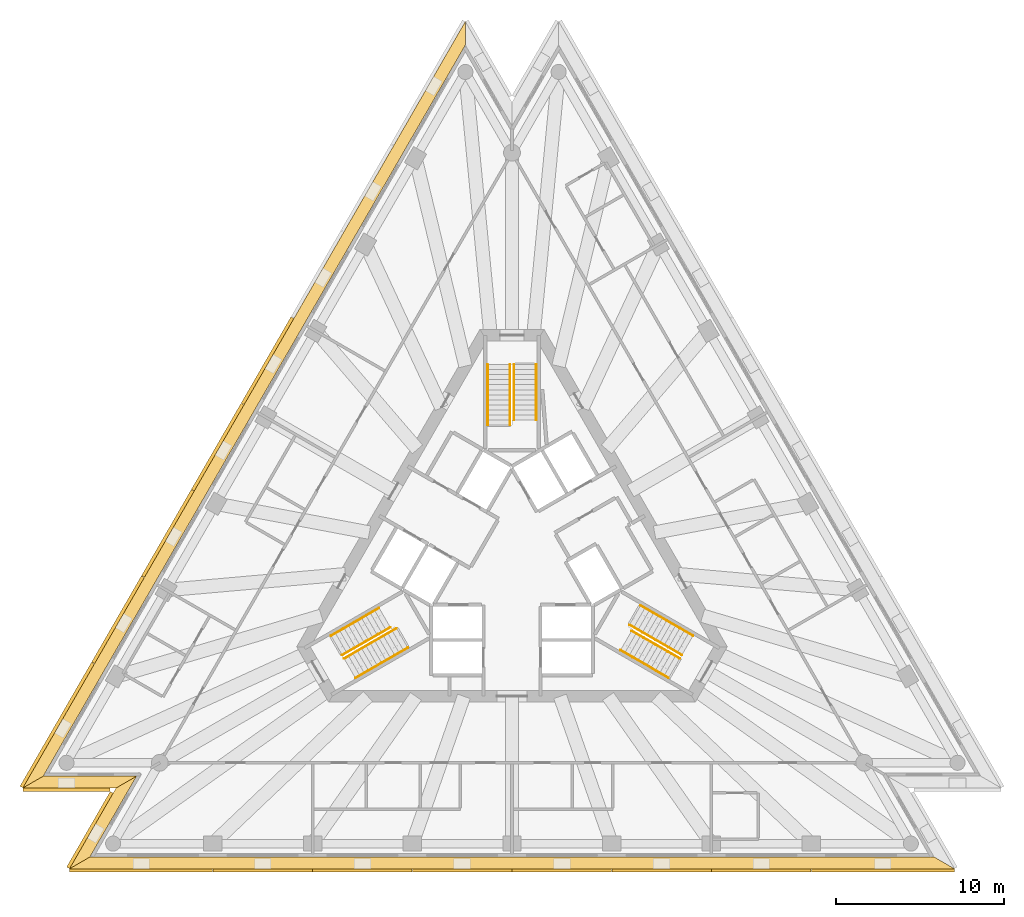
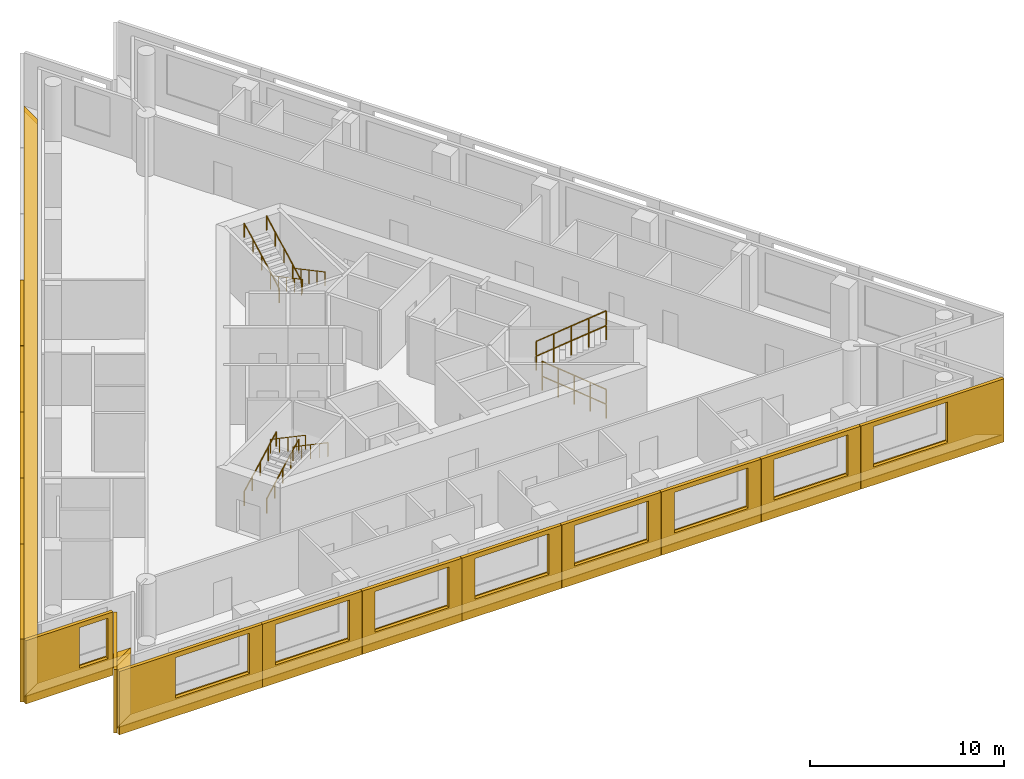
# One storey, part 8 of 9: 19 shading devices, 12 railings, 4 coverings, 3 elements without a shape of their own.
"""IFC4 building model written with IfcOpenShell, lengths in metres."""

from ifc_helpers import new_model, si_unit, direction, frame, origin, origin_2d, place, context, subcontext, project, spatial, polyline, circle, outline, extrude, material, layer, layer_set, layer_usage, type_object, element, aggregate, save


model = new_model("IFC4")

# Units and contexts
model_context = context("Model", 3, precision=1e-05, world=origin(), true_north=direction((0.0, 1.0)))
body_context = subcontext(model_context, "Body", "Model", "MODEL_VIEW")
ifc_project = project(units=[si_unit("LENGTHUNIT", "METRE"), si_unit("AREAUNIT", "SQUARE_METRE"), si_unit("VOLUMEUNIT", "CUBIC_METRE"), si_unit("PLANEANGLEUNIT", "RADIAN"), si_unit("MASSUNIT", "GRAM", prefix="KILO")], contexts=[model_context])

# Site, building, storey
site_placement = place(None, origin())
site = spatial("IfcSite", under=ifc_project, at=site_placement, CompositionType="ELEMENT")
building_placement = place(site_placement, origin())
building = spatial("IfcBuilding", under=site, at=building_placement, Name="Triada Interchange Tower", CompositionType="ELEMENT")
storey_placement = place(building_placement, frame((0.0, 0.0, 231.300048828125)))
storey = spatial("IfcBuildingStorey", under=building, at=storey_placement, Name="L54", CompositionType="ELEMENT", Elevation=231.300048828125)

# Coverings
ifc_material_1 = material(Name="Mineral fire-stop board")
ifc_layer_1 = layer(ifc_material_1, 0.0400390625, Name="Mineral fire-stop board")
ifc_material_2 = material(Name="Intumescent sealant")
ifc_layer_2 = layer(ifc_material_2, 0.010009765625, Name="Intumescent seal")
ifc_layer_set_1 = layer_set([ifc_layer_1, ifc_layer_2], Name="Cavity fire stop")
ifc_layer_usage = layer_usage(ifc_layer_set_1, "AXIS3", "POSITIVE", 0.0)
covering_type = type_object("IfcCoveringType", Name="Cavity fire stop", PredefinedType="INSULATION", material=ifc_layer_set_1)
covering_1_placement = place(storey_placement, origin())
element("IfcCovering", 1, at=covering_1_placement, inside=storey, type_object=covering_type, material=ifc_layer_usage, Name="Cavity fire stop L54 NW", PredefinedType="INSULATION", context=body_context, shape_type="SweptSolid", body=[
    extrude(outline(polyline([(-2.777099609375, 30.623046875), (-2.777099609375, 32.02294921875), (-29.1220703125, -13.60595703125), (-27.909912109375, -12.906005859375), (-2.777099609375, 30.623046875)])), origin(), (0.0, 0.0, 1.0), 0.050048828125),
])
covering_2_placement = place(storey_placement, origin())
element("IfcCovering", 2, at=covering_2_placement, inside=storey, type_object=covering_type, material=ifc_layer_usage, Name="Cavity fire stop L54 SW-1", PredefinedType="INSULATION", context=body_context, shape_type="SweptSolid", body=[
    extrude(outline(polyline([(-27.909912109375, -12.906005859375), (-29.1220703125, -13.60595703125), (-23.56689453125, -13.60595703125), (-22.35498046875, -12.906005859375), (-27.909912109375, -12.906005859375)])), origin(), (0.0, 0.0, 1.0), 0.050048828125),
])
covering_3_placement = place(storey_placement, origin())
element("IfcCovering", 3, at=covering_3_placement, inside=storey, type_object=covering_type, material=ifc_layer_usage, Name="Cavity fire stop L54 SW-2", PredefinedType="INSULATION", context=body_context, shape_type="SweptSolid", body=[
    extrude(outline(polyline([(-22.35498046875, -12.906005859375), (-23.56689453125, -13.60595703125), (-26.343994140625, -18.4169921875), (-25.132080078125, -17.717041015625), (-22.35498046875, -12.906005859375)])), origin(), (0.0, 0.0, 1.0), 0.050048828125),
])
covering_4_placement = place(storey_placement, origin())
element("IfcCovering", 4, at=covering_4_placement, inside=storey, type_object=covering_type, material=ifc_layer_usage, Name="Cavity fire stop L54 S", PredefinedType="INSULATION", context=body_context, shape_type="SweptSolid", body=[
    extrude(outline(polyline([(-25.132080078125, -17.717041015625), (-26.343994140625, -18.4169921875), (26.343994140625, -18.4169921875), (25.132080078125, -17.717041015625), (-25.132080078125, -17.717041015625)])), origin(), (0.0, 0.0, 1.0), 0.050048828125),
])

# Shading devices
ifc_material_3 = material(Name="Aluminium louvre", Category="aluminium")
shading_device_type_1 = type_object("IfcShadingDeviceType", Name="Cavity louvre grille", PredefinedType="JALOUSIE", material=ifc_material_3)
shading_device_1_placement = place(storey_placement, frame((0.0, 0.0, 0.050048828125)))
element("IfcShadingDevice", 5, at=shading_device_1_placement, inside=storey, type_object=shading_device_type_1, Name="Cavity louvre grille L54 NW", PredefinedType="JALOUSIE", context=body_context, shape_type="SweptSolid", body=[
    extrude(outline(polyline([(-2.777099609375, 30.623046875), (-2.777099609375, 32.02294921875), (-29.1220703125, -13.60595703125), (-27.909912109375, -12.906005859375), (-2.777099609375, 30.623046875)])), origin(), (0.0, 0.0, 1.0), 0.2998046875),
])
shading_device_2_placement = place(storey_placement, frame((0.0, 0.0, 0.050048828125)))
element("IfcShadingDevice", 6, at=shading_device_2_placement, inside=storey, type_object=shading_device_type_1, Name="Cavity louvre grille L54 SW-1", PredefinedType="JALOUSIE", context=body_context, shape_type="SweptSolid", body=[
    extrude(outline(polyline([(-27.909912109375, -12.906005859375), (-29.1220703125, -13.60595703125), (-23.56689453125, -13.60595703125), (-22.35498046875, -12.906005859375), (-27.909912109375, -12.906005859375)])), origin(), (0.0, 0.0, 1.0), 0.2998046875),
])
shading_device_3_placement = place(storey_placement, frame((0.0, 0.0, 0.050048828125)))
element("IfcShadingDevice", 7, at=shading_device_3_placement, inside=storey, type_object=shading_device_type_1, Name="Cavity louvre grille L54 SW-2", PredefinedType="JALOUSIE", context=body_context, shape_type="SweptSolid", body=[
    extrude(outline(polyline([(-22.35498046875, -12.906005859375), (-23.56689453125, -13.60595703125), (-26.343994140625, -18.4169921875), (-25.132080078125, -17.717041015625), (-22.35498046875, -12.906005859375)])), origin(), (0.0, 0.0, 1.0), 0.2998046875),
])
shading_device_4_placement = place(storey_placement, frame((0.0, 0.0, 0.050048828125)))
element("IfcShadingDevice", 8, at=shading_device_4_placement, inside=storey, type_object=shading_device_type_1, Name="Cavity louvre grille L54 S", PredefinedType="JALOUSIE", context=body_context, shape_type="SweptSolid", body=[
    extrude(outline(polyline([(-25.132080078125, -17.717041015625), (-26.343994140625, -18.4169921875), (26.343994140625, -18.4169921875), (25.132080078125, -17.717041015625), (-25.132080078125, -17.717041015625)])), origin(), (0.0, 0.0, 1.0), 0.2998046875),
])
ifc_material_4 = material(Name="Concrete C50/60 precast", Category="concrete")
ifc_layer_3 = layer(ifc_material_4, 0.02001953125, Name="Exposed aggregate face")
ifc_layer_4 = layer(ifc_material_4, 0.179931640625, Name="Precast concrete screen")
ifc_layer_set_2 = layer_set([ifc_layer_3, ifc_layer_4], Name="Outer skin screen panel 3980")
shading_device_type_2 = type_object("IfcShadingDeviceType", Name="Outer skin screen panel 3980", PredefinedType="SHUTTER", material=ifc_layer_set_2)
shading_device_5_placement = place(storey_placement, frame((-12.986083984375, 14.341064453125, -0.2900390625), z_axis=(0.0, 0.0, 1.0), x_axis=(-0.500079606793, -0.865979437902, 0.0)))
element("IfcShadingDevice", 9, at=shading_device_5_placement, inside=storey, type_object=shading_device_type_2, Name="Outer skin screen panel L54 04", PredefinedType="SHUTTER", context=body_context, shape_type="SweptSolid", body=[
    extrude(outline(polyline([(0.0, 0.0), (5.9169921875, 0.0), (5.9169921875, 3.97998046875), (0.0, 3.97998046875), (0.0, 0.0)]), holes=[polyline([(0.7578125, 1.139892578125), (0.7578125, 3.68994140625), (5.157958984375, 3.68994140625), (5.157958984375, 1.139892578125), (0.7578125, 1.139892578125)])]), frame((0.0, 0.0, 0.0), z_axis=(0.0, -1.0, 0.0), x_axis=(1.0, 0.0, 0.0)), (0.0, 0.0, 1.0), 0.199951171875),
])
shading_device_6_placement = place(storey_placement, frame((-15.955078125, 9.199951171875, -0.2900390625), z_axis=(0.0, 0.0, 1.0), x_axis=(-0.499955822529, -0.866050908157, 0.0)))
element("IfcShadingDevice", 10, at=shading_device_6_placement, inside=storey, type_object=shading_device_type_2, Name="Outer skin screen panel L54 05", PredefinedType="SHUTTER", context=body_context, shape_type="SweptSolid", body=[
    extrude(outline(polyline([(0.0, 0.0), (5.91650390625, 0.0), (5.91650390625, 3.97998046875), (0.0, 3.97998046875), (0.0, 0.0)]), holes=[polyline([(0.75830078125, 1.139892578125), (0.75830078125, 3.68994140625), (5.158447265625, 3.68994140625), (5.158447265625, 1.139892578125), (0.75830078125, 1.139892578125)])]), frame((0.0, 0.0, 0.0), z_axis=(0.0, -1.0, 0.0), x_axis=(1.0, 0.0, 0.0)), (0.0, 0.0, 1.0), 0.199951171875),
])
shading_device_7_placement = place(storey_placement, frame((-18.923095703125, 4.05908203125, -0.2900390625), z_axis=(0.0, 0.0, 1.0), x_axis=(-0.499955822529, -0.866050908157, 0.0)))
element("IfcShadingDevice", 11, at=shading_device_7_placement, inside=storey, type_object=shading_device_type_2, Name="Outer skin screen panel L54 06", PredefinedType="SHUTTER", context=body_context, shape_type="SweptSolid", body=[
    extrude(outline(polyline([(0.0, 0.0), (5.91650390625, 0.0), (5.91650390625, 3.97998046875), (0.0, 3.97998046875), (0.0, 0.0)]), holes=[polyline([(0.7578125, 1.139892578125), (0.7578125, 3.68994140625), (5.157958984375, 3.68994140625), (5.157958984375, 1.139892578125), (0.7578125, 1.139892578125)])]), frame((0.0, 0.0, 0.0), z_axis=(0.0, -1.0, 0.0), x_axis=(1.0, 0.0, 0.0)), (0.0, 0.0, 1.0), 0.199951171875),
])
shading_device_8_placement = place(storey_placement, frame((-21.89111328125, -1.08203125, -0.2900390625), z_axis=(0.0, 0.0, 1.0), x_axis=(-0.500079606793, -0.865979437902, 0.0)))
element("IfcShadingDevice", 12, at=shading_device_8_placement, inside=storey, type_object=shading_device_type_2, Name="Outer skin screen panel L54 07", PredefinedType="SHUTTER", context=body_context, shape_type="SweptSolid", body=[
    extrude(outline(polyline([(0.0, 0.0), (5.9169921875, 0.0), (5.9169921875, 3.97998046875), (0.0, 3.97998046875), (0.0, 0.0)]), holes=[polyline([(0.75830078125, 1.139892578125), (0.75830078125, 3.68994140625), (5.158203125, 3.68994140625), (5.158203125, 1.139892578125), (0.75830078125, 1.139892578125)])]), frame((0.0, 0.0, 0.0), z_axis=(0.0, -1.0, 0.0), x_axis=(1.0, 0.0, 0.0)), (0.0, 0.0, 1.0), 0.199951171875),
])
shading_device_9_placement = place(storey_placement, frame((-24.860107421875, -6.222900390625, -0.2900390625), z_axis=(0.0, 0.0, 1.0), x_axis=(-0.499950805595, -0.866053804324, 0.0)))
element("IfcShadingDevice", 13, at=shading_device_9_placement, inside=storey, type_object=shading_device_type_2, Name="Outer skin screen panel L54 08", PredefinedType="SHUTTER", context=body_context, shape_type="SweptSolid", body=[
    extrude(outline(polyline([(0.0, 0.0), (8.514404296875, 0.0), (8.514404296875, 3.97998046875), (0.0, 3.97998046875), (0.0, 0.0)]), holes=[polyline([(0.7578125, 1.139892578125), (0.7578125, 3.68994140625), (5.15771484375, 3.68994140625), (5.15771484375, 1.139892578125), (0.7578125, 1.139892578125)])]), frame((0.0, 0.0, 0.0), z_axis=(0.0, -1.0, 0.0), x_axis=(1.0, 0.0, 0.0)), (0.0, 0.0, 1.0), 0.199951171875),
])
shading_device_10_placement = place(storey_placement, frame((-29.112060546875, -13.60595703125, -0.2900390625), z_axis=(0.0, 0.0, 1.0), x_axis=(1.0, 0.0, 0.0)))
element("IfcShadingDevice", 14, at=shading_device_10_placement, inside=storey, type_object=shading_device_type_2, Name="Outer skin screen panel L54 09", PredefinedType="SHUTTER", context=body_context, shape_type="SweptSolid", body=[
    extrude(outline(polyline([(0.0, 0.0), (5.18896484375, 0.0), (5.18896484375, 3.97998046875), (0.0, 3.97998046875), (0.0, 0.0)]), holes=[polyline([(3.175048828125, 1.139892578125), (3.175048828125, 3.68994140625), (4.888916015625, 3.68994140625), (4.888916015625, 1.139892578125), (3.175048828125, 1.139892578125)])]), frame((0.0, 0.0, 0.0), z_axis=(0.0, -1.0, 0.0), x_axis=(1.0, 0.0, 0.0)), (0.0, 0.0, 1.0), 0.199951171875),
])
shading_device_11_placement = place(storey_placement, frame((-23.7451171875, -13.9140625, -0.2900390625), z_axis=(0.0, 0.0, 1.0), x_axis=(-0.499919314206, -0.866071982738, 0.0)))
element("IfcShadingDevice", 15, at=shading_device_11_placement, inside=storey, type_object=shading_device_type_2, Name="Outer skin screen panel L54 10", PredefinedType="SHUTTER", context=body_context, shape_type="SweptSolid", body=[
    extrude(outline(polyline([(0.0, 0.0), (5.188720703125, 0.0), (5.188720703125, 3.97998046875), (0.0, 3.97998046875), (0.0, 0.0)]), holes=[polyline([(0.300048828125, 1.139892578125), (0.300048828125, 3.68994140625), (1.758544921875, 3.68994140625), (1.758544921875, 1.139892578125), (0.300048828125, 1.139892578125)])]), frame((0.0, 0.0, 0.0), z_axis=(0.0, -1.0, 0.0), x_axis=(1.0, 0.0, 0.0)), (0.0, 0.0, 1.0), 0.199951171875),
])
shading_device_12_placement = place(storey_placement, frame((-26.333984375, -18.4169921875, -0.2900390625), z_axis=(0.0, 0.0, 1.0), x_axis=(1.0, 0.0, 0.0)))
element("IfcShadingDevice", 16, at=shading_device_12_placement, inside=storey, type_object=shading_device_type_2, Name="Outer skin screen panel L54 11", PredefinedType="SHUTTER", context=body_context, shape_type="SweptSolid", body=[
    extrude(outline(polyline([(0.0, 0.0), (8.514892578125, 0.0), (8.514892578125, 3.97998046875), (0.0, 3.97998046875), (0.0, 0.0)]), holes=[polyline([(3.35595703125, 1.139892578125), (3.35595703125, 3.68994140625), (7.756103515625, 3.68994140625), (7.756103515625, 1.139892578125), (3.35595703125, 1.139892578125)])]), frame((0.0, 0.0, 0.0), z_axis=(0.0, -1.0, 0.0), x_axis=(1.0, 0.0, 0.0)), (0.0, 0.0, 1.0), 0.199951171875),
])
shading_device_13_placement = place(storey_placement, frame((-17.800048828125, -18.4169921875, -0.2900390625), z_axis=(0.0, 0.0, 1.0), x_axis=(1.0, 0.0, 0.0)))
element("IfcShadingDevice", 17, at=shading_device_13_placement, inside=storey, type_object=shading_device_type_2, Name="Outer skin screen panel L54 12", PredefinedType="SHUTTER", context=body_context, shape_type="SweptSolid", body=[
    extrude(outline(polyline([(0.0, 0.0), (5.9169921875, 0.0), (5.9169921875, 3.97998046875), (0.0, 3.97998046875), (0.0, 0.0)]), holes=[polyline([(0.758544921875, 1.139892578125), (0.758544921875, 3.68994140625), (5.158447265625, 3.68994140625), (5.158447265625, 1.139892578125), (0.758544921875, 1.139892578125)])]), frame((0.0, 0.0, 0.0), z_axis=(0.0, -1.0, 0.0), x_axis=(1.0, 0.0, 0.0)), (0.0, 0.0, 1.0), 0.199951171875),
])
shading_device_14_placement = place(storey_placement, frame((-11.863037109375, -18.4169921875, -0.2900390625), z_axis=(0.0, 0.0, 1.0), x_axis=(1.0, 0.0, 0.0)))
element("IfcShadingDevice", 18, at=shading_device_14_placement, inside=storey, type_object=shading_device_type_2, Name="Outer skin screen panel L54 13", PredefinedType="SHUTTER", context=body_context, shape_type="SweptSolid", body=[
    extrude(outline(polyline([(0.0, 0.0), (5.9169921875, 0.0), (5.9169921875, 3.97998046875), (0.0, 3.97998046875), (0.0, 0.0)]), holes=[polyline([(0.758056640625, 1.139892578125), (0.758056640625, 3.68994140625), (5.157958984375, 3.68994140625), (5.157958984375, 1.139892578125), (0.758056640625, 1.139892578125)])]), frame((0.0, 0.0, 0.0), z_axis=(0.0, -1.0, 0.0), x_axis=(1.0, 0.0, 0.0)), (0.0, 0.0, 1.0), 0.199951171875),
])
shading_device_15_placement = place(storey_placement, frame((-5.926025390625, -18.4169921875, -0.2900390625), z_axis=(0.0, 0.0, 1.0), x_axis=(1.0, 0.0, 0.0)))
element("IfcShadingDevice", 19, at=shading_device_15_placement, inside=storey, type_object=shading_device_type_2, Name="Outer skin screen panel L54 14", PredefinedType="SHUTTER", context=body_context, shape_type="SweptSolid", body=[
    extrude(outline(polyline([(0.0, 0.0), (5.916015625, 0.0), (5.916015625, 3.97998046875), (0.0, 3.97998046875), (0.0, 0.0)]), holes=[polyline([(0.758544921875, 1.139892578125), (0.758544921875, 3.68994140625), (5.158447265625, 3.68994140625), (5.158447265625, 1.139892578125), (0.758544921875, 1.139892578125)])]), frame((0.0, 0.0, 0.0), z_axis=(0.0, -1.0, 0.0), x_axis=(1.0, 0.0, 0.0)), (0.0, 0.0, 1.0), 0.199951171875),
])
shading_device_16_placement = place(storey_placement, frame((0.010009765625, -18.4169921875, -0.2900390625), z_axis=(0.0, 0.0, 1.0), x_axis=(1.0, 0.0, 0.0)))
element("IfcShadingDevice", 20, at=shading_device_16_placement, inside=storey, type_object=shading_device_type_2, Name="Outer skin screen panel L54 15", PredefinedType="SHUTTER", context=body_context, shape_type="SweptSolid", body=[
    extrude(outline(polyline([(0.0, 0.0), (5.916015625, 0.0), (5.916015625, 3.97998046875), (0.0, 3.97998046875), (0.0, 0.0)]), holes=[polyline([(0.758056640625, 1.139892578125), (0.758056640625, 3.68994140625), (5.157958984375, 3.68994140625), (5.157958984375, 1.139892578125), (0.758056640625, 1.139892578125)])]), frame((0.0, 0.0, 0.0), z_axis=(0.0, -1.0, 0.0), x_axis=(1.0, 0.0, 0.0)), (0.0, 0.0, 1.0), 0.199951171875),
])
shading_device_17_placement = place(storey_placement, frame((5.946044921875, -18.4169921875, -0.2900390625), z_axis=(0.0, 0.0, 1.0), x_axis=(1.0, 0.0, 0.0)))
element("IfcShadingDevice", 21, at=shading_device_17_placement, inside=storey, type_object=shading_device_type_2, Name="Outer skin screen panel L54 16", PredefinedType="SHUTTER", context=body_context, shape_type="SweptSolid", body=[
    extrude(outline(polyline([(0.0, 0.0), (5.9169921875, 0.0), (5.9169921875, 3.97998046875), (0.0, 3.97998046875), (0.0, 0.0)]), holes=[polyline([(0.758544921875, 1.139892578125), (0.758544921875, 3.68994140625), (5.158447265625, 3.68994140625), (5.158447265625, 1.139892578125), (0.758544921875, 1.139892578125)])]), frame((0.0, 0.0, 0.0), z_axis=(0.0, -1.0, 0.0), x_axis=(1.0, 0.0, 0.0)), (0.0, 0.0, 1.0), 0.199951171875),
])
shading_device_18_placement = place(storey_placement, frame((11.883056640625, -18.4169921875, -0.2900390625), z_axis=(0.0, 0.0, 1.0), x_axis=(1.0, 0.0, 0.0)))
element("IfcShadingDevice", 22, at=shading_device_18_placement, inside=storey, type_object=shading_device_type_2, Name="Outer skin screen panel L54 17", PredefinedType="SHUTTER", context=body_context, shape_type="SweptSolid", body=[
    extrude(outline(polyline([(0.0, 0.0), (5.916015625, 0.0), (5.916015625, 3.97998046875), (0.0, 3.97998046875), (0.0, 0.0)]), holes=[polyline([(0.758056640625, 1.139892578125), (0.758056640625, 3.68994140625), (5.157958984375, 3.68994140625), (5.157958984375, 1.139892578125), (0.758056640625, 1.139892578125)])]), frame((0.0, 0.0, 0.0), z_axis=(0.0, -1.0, 0.0), x_axis=(1.0, 0.0, 0.0)), (0.0, 0.0, 1.0), 0.199951171875),
])
shading_device_19_placement = place(storey_placement, frame((17.819091796875, -18.4169921875, -0.2900390625), z_axis=(0.0, 0.0, 1.0), x_axis=(1.0, 0.0, 0.0)))
element("IfcShadingDevice", 23, at=shading_device_19_placement, inside=storey, type_object=shading_device_type_2, Name="Outer skin screen panel L54 18", PredefinedType="SHUTTER", context=body_context, shape_type="SweptSolid", body=[
    extrude(outline(polyline([(0.0, 0.0), (8.514892578125, 0.0), (8.514892578125, 3.97998046875), (0.0, 3.97998046875), (0.0, 0.0)]), holes=[polyline([(0.758544921875, 1.139892578125), (0.758544921875, 3.68994140625), (5.158447265625, 3.68994140625), (5.158447265625, 1.139892578125), (0.758544921875, 1.139892578125)])]), frame((0.0, 0.0, 0.0), z_axis=(0.0, -1.0, 0.0), x_axis=(1.0, 0.0, 0.0)), (0.0, 0.0, 1.0), 0.199951171875),
])

# Stair, railings
ifc_material_5 = material(Name="Concrete C35/45", Category="concrete")
stair_type = type_object("IfcStairType", Name="HALF TURN STAIR 1400", PredefinedType="HALF_TURN_STAIR", material=ifc_material_5)
stair_1_placement = place(storey_placement, origin())
stair_1 = element("IfcStair", 24, at=stair_1_placement, inside=storey, type_object=stair_type, Name="Exit stair S53-1", PredefinedType="HALF_TURN_STAIR")
ifc_material_6 = material(Name="Stainless steel 1.4301", Category="steel")
railing_type = type_object("IfcRailingType", Name="STAIR HANDRAIL 900", PredefinedType="HANDRAIL", material=ifc_material_6)
railing_1_placement = place(storey_placement, frame((1.449951171875, 11.60009765625, 0.159912109375)))
railing_1 = element("IfcRailing", 25, at=railing_1_placement, type_object=railing_type, Name="Handrail S53-1 1W", PredefinedType="HANDRAIL", context=body_context, shape_type="SweptSolid", body=[
    extrude(circle(Radius=0.02392578125, at=origin_2d()), frame((0.0, 0.0, 0.8759765625), z_axis=(0.0, -0.882354748157, 0.47058484719), x_axis=(1.0, 0.0, 0.0)), (0.0, 0.0, 1.0), 3.739990234375),
    extrude(circle(Radius=0.02099609375, at=origin_2d()), origin(), (0.0, 0.0, 1.0), 0.851806640625),
    extrude(circle(Radius=0.02099609375, at=origin_2d()), frame((0.0, -0.824951171875, 0.43994140625)), (0.0, 0.0, 1.0), 0.851806640625),
    extrude(circle(Radius=0.02099609375, at=origin_2d()), frame((0.0, -1.64990234375, 0.8798828125)), (0.0, 0.0, 1.0), 0.851806640625),
    extrude(circle(Radius=0.02099609375, at=origin_2d()), frame((0.0, -2.47509765625, 1.320068359375)), (0.0, 0.0, 1.0), 0.851806640625),
    extrude(circle(Radius=0.02099609375, at=origin_2d()), frame((0.0, -3.300048828125, 1.760009765625)), (0.0, 0.0, 1.0), 0.851806640625),
])
railing_2_placement = place(storey_placement, frame((0.1201171875, 11.60009765625, 0.159912109375)))
railing_2 = element("IfcRailing", 26, at=railing_2_placement, type_object=railing_type, Name="Handrail S53-1 1C", PredefinedType="HANDRAIL", context=body_context, shape_type="SweptSolid", body=[
    extrude(circle(Radius=0.02392578125, at=origin_2d()), frame((0.0, 0.0, 0.8759765625), z_axis=(0.0, -0.882354748157, 0.47058484719), x_axis=(1.0, 0.0, 0.0)), (0.0, 0.0, 1.0), 3.739990234375),
    extrude(circle(Radius=0.02099609375, at=origin_2d()), origin(), (0.0, 0.0, 1.0), 0.851806640625),
    extrude(circle(Radius=0.02099609375, at=origin_2d()), frame((0.0, -0.824951171875, 0.43994140625)), (0.0, 0.0, 1.0), 0.851806640625),
    extrude(circle(Radius=0.02099609375, at=origin_2d()), frame((0.0, -1.64990234375, 0.8798828125)), (0.0, 0.0, 1.0), 0.851806640625),
    extrude(circle(Radius=0.02099609375, at=origin_2d()), frame((0.0, -2.47509765625, 1.320068359375)), (0.0, 0.0, 1.0), 0.851806640625),
    extrude(circle(Radius=0.02099609375, at=origin_2d()), frame((0.0, -3.300048828125, 1.760009765625)), (0.0, 0.0, 1.0), 0.851806640625),
])
railing_3_placement = place(storey_placement, frame((-1.449951171875, 8.0, 2.079833984375)))
railing_3 = element("IfcRailing", 27, at=railing_3_placement, type_object=railing_type, Name="Handrail S53-1 2W", PredefinedType="HANDRAIL", context=body_context, shape_type="SweptSolid", body=[
    extrude(circle(Radius=0.02392578125, at=origin_2d()), frame((0.0, 0.0, 0.8759765625), z_axis=(0.0, 0.882341346394, 0.470609974867), x_axis=(-1.0, 0.0, 0.0)), (0.0, 0.0, 1.0), 4.080078125),
    extrude(circle(Radius=0.02099609375, at=origin_2d()), origin(), (0.0, 0.0, 1.0), 0.851806640625),
    extrude(circle(Radius=0.02099609375, at=origin_2d()), frame((0.0, 0.89990234375, 0.47998046875)), (0.0, 0.0, 1.0), 0.851806640625),
    extrude(circle(Radius=0.02099609375, at=origin_2d()), frame((0.0, 1.800048828125, 0.9599609375)), (0.0, 0.0, 1.0), 0.851806640625),
    extrude(circle(Radius=0.02099609375, at=origin_2d()), frame((0.0, 2.7001953125, 1.440185546875)), (0.0, 0.0, 1.0), 0.851806640625),
    extrude(circle(Radius=0.02099609375, at=origin_2d()), frame((0.0, 3.60009765625, 1.920166015625)), (0.0, 0.0, 1.0), 0.851806640625),
])
railing_4_placement = place(storey_placement, frame((-0.1201171875, 8.0, 2.079833984375)))
railing_4 = element("IfcRailing", 28, at=railing_4_placement, type_object=railing_type, Name="Handrail S53-1 2C", PredefinedType="HANDRAIL", context=body_context, shape_type="SweptSolid", body=[
    extrude(circle(Radius=0.02392578125, at=origin_2d()), frame((0.0, 0.0, 0.8759765625), z_axis=(0.0, 0.882341346394, 0.470609974867), x_axis=(-1.0, 0.0, 0.0)), (0.0, 0.0, 1.0), 4.080078125),
    extrude(circle(Radius=0.02099609375, at=origin_2d()), origin(), (0.0, 0.0, 1.0), 0.851806640625),
    extrude(circle(Radius=0.02099609375, at=origin_2d()), frame((0.0, 0.89990234375, 0.47998046875)), (0.0, 0.0, 1.0), 0.851806640625),
    extrude(circle(Radius=0.02099609375, at=origin_2d()), frame((0.0, 1.800048828125, 0.9599609375)), (0.0, 0.0, 1.0), 0.851806640625),
    extrude(circle(Radius=0.02099609375, at=origin_2d()), frame((0.0, 2.7001953125, 1.440185546875)), (0.0, 0.0, 1.0), 0.851806640625),
    extrude(circle(Radius=0.02099609375, at=origin_2d()), frame((0.0, 3.60009765625, 1.920166015625)), (0.0, 0.0, 1.0), 0.851806640625),
])
aggregate(stair_1, [railing_1, railing_2, railing_3, railing_4])

stair_2_placement = place(storey_placement, origin())
stair_2 = element("IfcStair", 29, at=stair_2_placement, inside=storey, type_object=stair_type, Name="Exit stair S53-2", PredefinedType="HALF_TURN_STAIR")
railing_5_placement = place(storey_placement, frame((-10.77099609375, -4.5439453125, 0.159912109375)))
railing_5 = element("IfcRailing", 30, at=railing_5_placement, type_object=railing_type, Name="Handrail S53-2 1W", PredefinedType="HANDRAIL", context=body_context, shape_type="SweptSolid", body=[
    extrude(circle(Radius=0.02392578125, at=origin_2d()), frame((0.0, 0.0, 0.8759765625), z_axis=(0.764150854273, 0.441152526326, 0.470593158077), x_axis=(-0.499974350878, 0.866040211805, 0.0)), (0.0, 0.0, 1.0), 3.739990234375),
    extrude(circle(Radius=0.02099609375, at=origin_2d()), origin(), (0.0, 0.0, 1.0), 0.851806640625),
    extrude(circle(Radius=0.02099609375, at=origin_2d()), frame((0.71435546875, 0.41259765625, 0.43994140625)), (0.0, 0.0, 1.0), 0.851806640625),
    extrude(circle(Radius=0.02099609375, at=origin_2d()), frame((1.428955078125, 0.824951171875, 0.8798828125)), (0.0, 0.0, 1.0), 0.851806640625),
    extrude(circle(Radius=0.02099609375, at=origin_2d()), frame((2.1435546875, 1.2373046875, 1.320068359375)), (0.0, 0.0, 1.0), 0.851806640625),
    extrude(circle(Radius=0.02099609375, at=origin_2d()), frame((2.85791015625, 1.64990234375, 1.760009765625)), (0.0, 0.0, 1.0), 0.851806640625),
])
railing_6_placement = place(storey_placement, frame((-10.10595703125, -5.696044921875, 0.159912109375)))
railing_6 = element("IfcRailing", 31, at=railing_6_placement, type_object=railing_type, Name="Handrail S53-2 1C", PredefinedType="HANDRAIL", context=body_context, shape_type="SweptSolid", body=[
    extrude(circle(Radius=0.02392578125, at=origin_2d()), frame((0.0, 0.0, 0.8759765625), z_axis=(0.76412884773, 0.441205098395, 0.470579605611), x_axis=(-0.50002983664, 0.866008176907, 0.0)), (0.0, 0.0, 1.0), 3.739990234375),
    extrude(circle(Radius=0.02099609375, at=origin_2d()), origin(), (0.0, 0.0, 1.0), 0.851806640625),
    extrude(circle(Radius=0.02099609375, at=origin_2d()), frame((0.71435546875, 0.41259765625, 0.43994140625)), (0.0, 0.0, 1.0), 0.851806640625),
    extrude(circle(Radius=0.02099609375, at=origin_2d()), frame((1.428955078125, 0.8251953125, 0.8798828125)), (0.0, 0.0, 1.0), 0.851806640625),
    extrude(circle(Radius=0.02099609375, at=origin_2d()), frame((2.1435546875, 1.237548828125, 1.320068359375)), (0.0, 0.0, 1.0), 0.851806640625),
    extrude(circle(Radius=0.02099609375, at=origin_2d()), frame((2.85791015625, 1.650146484375, 1.760009765625)), (0.0, 0.0, 1.0), 0.851806640625),
])
railing_7_placement = place(storey_placement, frame((-6.202880859375, -5.256103515625, 2.079833984375)))
railing_7 = element("IfcRailing", 32, at=railing_7_placement, type_object=railing_type, Name="Handrail S53-2 2W", PredefinedType="HANDRAIL", context=body_context, shape_type="SweptSolid", body=[
    extrude(circle(Radius=0.02392578125, at=origin_2d()), frame((0.0, 0.0, 0.8759765625), z_axis=(-0.764189758314, -0.441090424232, 0.470588196769), x_axis=(0.499902469156, -0.866081705922, 0.0)), (0.0, 0.0, 1.0), 4.080322265625),
    extrude(circle(Radius=0.02099609375, at=origin_2d()), origin(), (0.0, 0.0, 1.0), 0.851806640625),
    extrude(circle(Radius=0.02099609375, at=origin_2d()), frame((-0.779541015625, -0.449951171875, 0.47998046875)), (0.0, 0.0, 1.0), 0.851806640625),
    extrude(circle(Radius=0.02099609375, at=origin_2d()), frame((-1.55908203125, -0.89990234375, 0.9599609375)), (0.0, 0.0, 1.0), 0.851806640625),
    extrude(circle(Radius=0.02099609375, at=origin_2d()), frame((-2.338623046875, -1.349853515625, 1.440185546875)), (0.0, 0.0, 1.0), 0.851806640625),
    extrude(circle(Radius=0.02099609375, at=origin_2d()), frame((-3.1181640625, -1.7998046875, 1.920166015625)), (0.0, 0.0, 1.0), 0.851806640625),
])
railing_8_placement = place(storey_placement, frame((-6.867919921875, -4.10400390625, 2.079833984375)))
railing_8 = element("IfcRailing", 33, at=railing_8_placement, type_object=railing_type, Name="Handrail S53-2 2C", PredefinedType="HANDRAIL", context=body_context, shape_type="SweptSolid", body=[
    extrude(circle(Radius=0.02392578125, at=origin_2d()), frame((0.0, 0.0, 0.8759765625), z_axis=(-0.764169589359, -0.441138614339, 0.470575776723), x_axis=(0.49995333141, -0.866052346231, 0.0)), (0.0, 0.0, 1.0), 4.08056640625),
    extrude(circle(Radius=0.02099609375, at=origin_2d()), origin(), (0.0, 0.0, 1.0), 0.851806640625),
    extrude(circle(Radius=0.02099609375, at=origin_2d()), frame((-0.779541015625, -0.449951171875, 0.47998046875)), (0.0, 0.0, 1.0), 0.851806640625),
    extrude(circle(Radius=0.02099609375, at=origin_2d()), frame((-1.55908203125, -0.89990234375, 0.9599609375)), (0.0, 0.0, 1.0), 0.851806640625),
    extrude(circle(Radius=0.02099609375, at=origin_2d()), frame((-2.338623046875, -1.35009765625, 1.440185546875)), (0.0, 0.0, 1.0), 0.851806640625),
    extrude(circle(Radius=0.02099609375, at=origin_2d()), frame((-3.1181640625, -1.800048828125, 1.920166015625)), (0.0, 0.0, 1.0), 0.851806640625),
])
aggregate(stair_2, [railing_5, railing_6, railing_7, railing_8])

stair_3_placement = place(storey_placement, origin())
stair_3 = element("IfcStair", 34, at=stair_3_placement, inside=storey, type_object=stair_type, Name="Exit stair S53-3", PredefinedType="HALF_TURN_STAIR")
railing_9_placement = place(storey_placement, frame((9.321044921875, -7.055908203125, 0.159912109375)))
railing_9 = element("IfcRailing", 35, at=railing_9_placement, type_object=railing_type, Name="Handrail S53-3 1W", PredefinedType="HANDRAIL", context=body_context, shape_type="SweptSolid", body=[
    extrude(circle(Radius=0.02392578125, at=origin_2d()), frame((0.0, 0.0, 0.8759765625), z_axis=(-0.764178012919, 0.441130521168, 0.470569684388), x_axis=(-0.499942318283, -0.866058703778, 0.0)), (0.0, 0.0, 1.0), 3.740234375),
    extrude(circle(Radius=0.02099609375, at=origin_2d()), origin(), (0.0, 0.0, 1.0), 0.851806640625),
    extrude(circle(Radius=0.02099609375, at=origin_2d()), frame((-0.714599609375, 0.41259765625, 0.43994140625)), (0.0, 0.0, 1.0), 0.851806640625),
    extrude(circle(Radius=0.02099609375, at=origin_2d()), frame((-1.42919921875, 0.824951171875, 0.8798828125)), (0.0, 0.0, 1.0), 0.851806640625),
    extrude(circle(Radius=0.02099609375, at=origin_2d()), frame((-2.1435546875, 1.2373046875, 1.320068359375)), (0.0, 0.0, 1.0), 0.851806640625),
    extrude(circle(Radius=0.02099609375, at=origin_2d()), frame((-2.858154296875, 1.64990234375, 1.760009765625)), (0.0, 0.0, 1.0), 0.851806640625),
])
railing_10_placement = place(storey_placement, frame((9.986083984375, -5.904052734375, 0.159912109375)))
railing_10 = element("IfcRailing", 36, at=railing_10_placement, type_object=railing_type, Name="Handrail S53-3 1C", PredefinedType="HANDRAIL", context=body_context, shape_type="SweptSolid", body=[
    extrude(circle(Radius=0.02392578125, at=origin_2d()), frame((0.0, 0.0, 0.8759765625), z_axis=(-0.764156007789, 0.441183091881, 0.47055613395), x_axis=(-0.49999780286, -0.8660266723, 0.0)), (0.0, 0.0, 1.0), 3.740234375),
    extrude(circle(Radius=0.02099609375, at=origin_2d()), origin(), (0.0, 0.0, 1.0), 0.851806640625),
    extrude(circle(Radius=0.02099609375, at=origin_2d()), frame((-0.714599609375, 0.41259765625, 0.43994140625)), (0.0, 0.0, 1.0), 0.851806640625),
    extrude(circle(Radius=0.02099609375, at=origin_2d()), frame((-1.42919921875, 0.8251953125, 0.8798828125)), (0.0, 0.0, 1.0), 0.851806640625),
    extrude(circle(Radius=0.02099609375, at=origin_2d()), frame((-2.1435546875, 1.237548828125, 1.320068359375)), (0.0, 0.0, 1.0), 0.851806640625),
    extrude(circle(Radius=0.02099609375, at=origin_2d()), frame((-2.858154296875, 1.650146484375, 1.760009765625)), (0.0, 0.0, 1.0), 0.851806640625),
])
railing_11_placement = place(storey_placement, frame((7.653076171875, -2.743896484375, 2.079833984375)))
railing_11 = element("IfcRailing", 37, at=railing_11_placement, type_object=railing_type, Name="Handrail S53-3 2W", PredefinedType="HANDRAIL", context=body_context, shape_type="SweptSolid", body=[
    extrude(circle(Radius=0.02392578125, at=origin_2d()), frame((0.0, 0.0, 0.8759765625), z_axis=(0.76414469501, -0.441158784458, 0.470597292793), x_axis=(0.499982693035, 0.866035395735, 0.0)), (0.0, 0.0, 1.0), 4.080322265625),
    extrude(circle(Radius=0.02099609375, at=origin_2d()), origin(), (0.0, 0.0, 1.0), 0.851806640625),
    extrude(circle(Radius=0.02099609375, at=origin_2d()), frame((0.779541015625, -0.449951171875, 0.47998046875)), (0.0, 0.0, 1.0), 0.851806640625),
    extrude(circle(Radius=0.02099609375, at=origin_2d()), frame((1.55908203125, -0.89990234375, 0.9599609375)), (0.0, 0.0, 1.0), 0.851806640625),
    extrude(circle(Radius=0.02099609375, at=origin_2d()), frame((2.33837890625, -1.35009765625, 1.440185546875)), (0.0, 0.0, 1.0), 0.851806640625),
    extrude(circle(Radius=0.02099609375, at=origin_2d()), frame((3.117919921875, -1.800048828125, 1.920166015625)), (0.0, 0.0, 1.0), 0.851806640625),
])
railing_12_placement = place(storey_placement, frame((6.988037109375, -3.89599609375, 2.079833984375)))
railing_12 = element("IfcRailing", 38, at=railing_12_placement, type_object=railing_type, Name="Handrail S53-3 2C", PredefinedType="HANDRAIL", context=body_context, shape_type="SweptSolid", body=[
    extrude(circle(Radius=0.02392578125, at=origin_2d()), frame((0.0, 0.0, 0.8759765625), z_axis=(0.76414469501, -0.441158784458, 0.470597292793), x_axis=(0.499982693035, 0.866035395735, 0.0)), (0.0, 0.0, 1.0), 4.080322265625),
    extrude(circle(Radius=0.02099609375, at=origin_2d()), origin(), (0.0, 0.0, 1.0), 0.851806640625),
    extrude(circle(Radius=0.02099609375, at=origin_2d()), frame((0.779541015625, -0.449951171875, 0.47998046875)), (0.0, 0.0, 1.0), 0.851806640625),
    extrude(circle(Radius=0.02099609375, at=origin_2d()), frame((1.55908203125, -0.89990234375, 0.9599609375)), (0.0, 0.0, 1.0), 0.851806640625),
    extrude(circle(Radius=0.02099609375, at=origin_2d()), frame((2.33837890625, -1.35009765625, 1.440185546875)), (0.0, 0.0, 1.0), 0.851806640625),
    extrude(circle(Radius=0.02099609375, at=origin_2d()), frame((3.117919921875, -1.800048828125, 1.920166015625)), (0.0, 0.0, 1.0), 0.851806640625),
])
aggregate(stair_3, [railing_9, railing_10, railing_11, railing_12])

save(model, "model.ifc")
